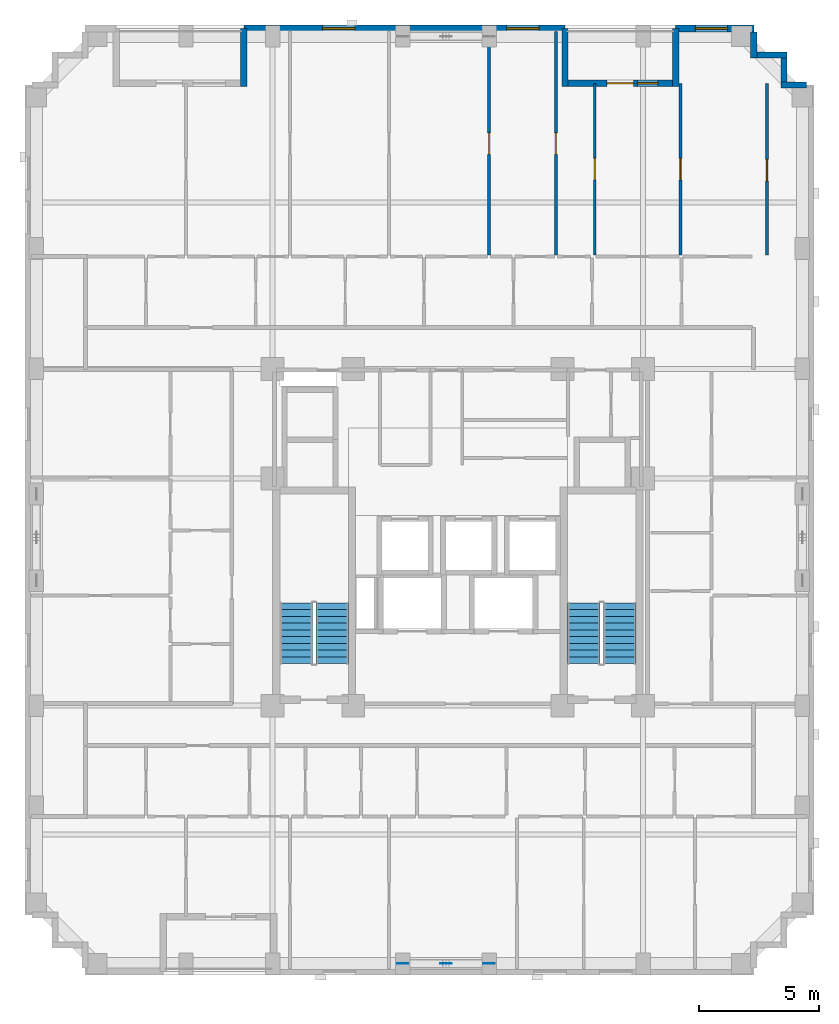
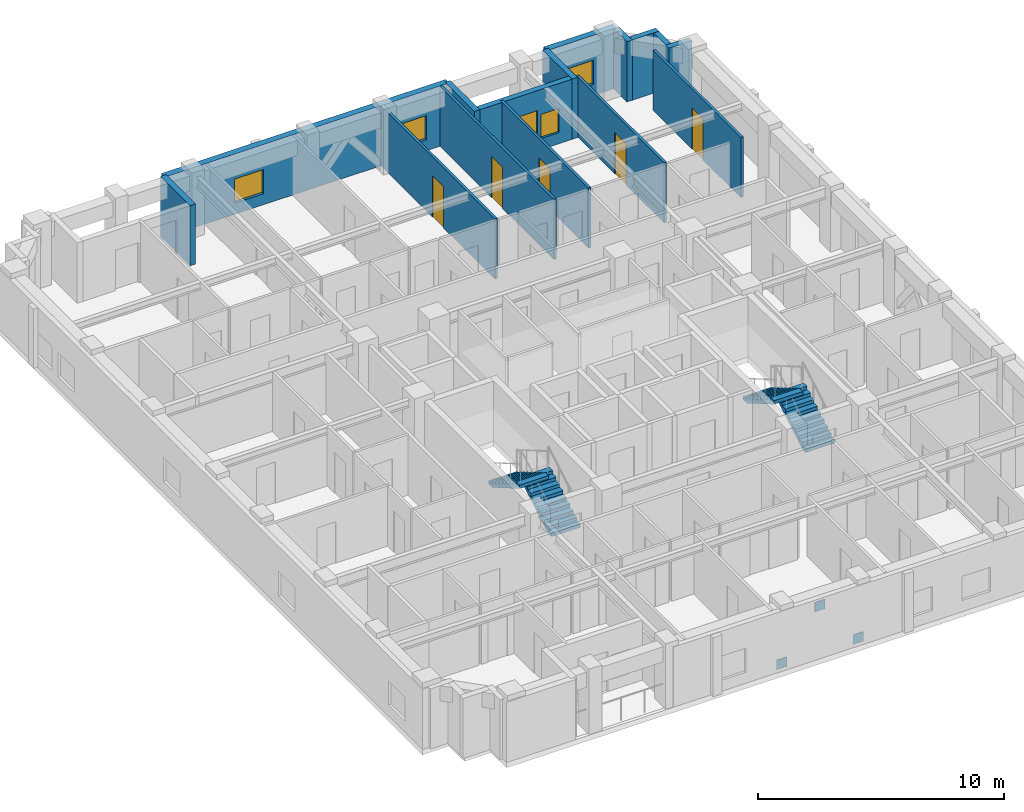
# One storey, part 8 of 11: 15 walls, 6 doors, 4 stair flights, 4 windows, 3 discrete accessories, 10 openings, 2 elements without a shape of their own.
"""IFC4 building model written with IfcOpenShell, lengths in metres."""

from ifc_helpers import new_model, si_unit, derived_unit, direction, frame, frame_2d, origin, origin_2d, place, context, subcontext, project, spatial, polyline, rectangle, outline, extrude, material, layer, layer_set, type_object, element, fill, aggregate, save


model = new_model("IFC4")

# Units and contexts
model_context = context("Model", 3, precision=1e-05, world=origin(), true_north=direction((0.0, 1.0)))
body_context = subcontext(model_context, "Body", "Model", "MODEL_VIEW")
ifc_project = project(units=[si_unit("LENGTHUNIT", "METRE"), si_unit("AREAUNIT", "SQUARE_METRE"), si_unit("VOLUMEUNIT", "CUBIC_METRE"), si_unit("PLANEANGLEUNIT", "RADIAN"), si_unit("MASSUNIT", "GRAM", prefix="KILO"), derived_unit("THERMALTRANSMITTANCEUNIT", [(si_unit("MASSUNIT", "GRAM", prefix="KILO"), 1), (si_unit("TIMEUNIT", "SECOND"), -3), (si_unit("THERMODYNAMICTEMPERATUREUNIT", "KELVIN"), -1)])], contexts=[model_context])

# Site, building, storey
site_placement = place(None, origin())
site = spatial("IfcSite", under=ifc_project, at=site_placement, CompositionType="ELEMENT")
building_placement = place(site_placement, origin())
building = spatial("IfcBuilding", under=site, at=building_placement, Name="Korrvale Station Residences", CompositionType="ELEMENT")
storey_placement = place(building_placement, frame((0.0, 0.0, 153.64990234375)))
storey = spatial("IfcBuildingStorey", under=building, at=storey_placement, Name="L44", CompositionType="ELEMENT", Elevation=153.64990234375)

# Walls
ifc_material_1 = material(Name="Precast concrete C45/55", Category="concrete")
ifc_layer_1 = layer(ifc_material_1, 0.260009765625, Name="Precast concrete C45/55")
ifc_layer_set_1 = layer_set([ifc_layer_1], Name="Precast concrete C45/55")
wall_type_1 = type_object("IfcWallType", Name="WAL-EXT-LOG260", PredefinedType="SOLIDWALL", material=ifc_layer_set_1)
for number, where, z_axis, x_axis, name in (
    (1, (16.60009765625, 40.739990234375, 0.0), (0.0, 0.0, 1.0), (0.0, 1.0, 0.0), "L44 Recessed Loggia Wall BAL-L44-N2-R"),
    (2, (29.949951171875, 43.139892578125, 0.0), (0.0, 0.0, 1.0), (0.0, -1.0, 0.0), "L44 Recessed Loggia Wall BAL-L44-N1-L"),
):
    element("IfcWall", number, at=place(storey_placement, frame(where, z_axis=z_axis, x_axis=x_axis)), inside=storey, type_object=wall_type_1, Name=name, PredefinedType="SOLIDWALL", context=body_context, shape_type="SweptSolid", body=[
        extrude(rectangle(XDim=2.39990234375, YDim=0.260009765625, at=frame_2d((1.199951171875, 0.0))), origin(), (0.0, 0.0, 1.0), 2.989990234375),
    ])

# Wall, openings, door, window
wall_1_placement = place(storey_placement, frame((30.083984375, 40.8701171875, 0.0), z_axis=(0.0, 0.0, 1.0), x_axis=(1.0, 0.0, 0.0)))
wall_1 = element("IfcWall", 3, at=wall_1_placement, inside=storey, type_object=wall_type_1, Name="L44 Recessed Loggia Wall BAL-L44-N1-B", PredefinedType="SOLIDWALL", context=body_context, shape_type="SweptSolid", body=[
    extrude(rectangle(XDim=4.33203125, YDim=0.260009765625, at=frame_2d((2.166015625, 0.0))), origin(), (0.0, 0.0, 1.0), 2.989990234375),
])
opening_1_placement = place(wall_1_placement, frame((1.615966796875, 0.0, 0.0)))
opening_1 = element("IfcOpeningElement", 4, at=opening_1_placement, cuts=wall_1, Name="Opening BD-01", PredefinedType="OPENING", context=body_context, shape_type="SweptSolid", body=[
    extrude(rectangle(XDim=1.10009765625, YDim=2.0, at=frame_2d((0.550048828125, 1.0))), frame((0.0, 0.14013671875, 0.0), z_axis=(0.0, -1.0, 0.0), x_axis=(1.0, 0.0, 0.0)), (0.0, 0.0, 1.0), 0.280029296875),
])
opening_2_placement = place(wall_1_placement, frame((2.8759765625, 0.0, 0.550048828125)))
opening_2 = element("IfcOpeningElement", 5, at=opening_2_placement, cuts=wall_1, Name="Opening W-11", PredefinedType="OPENING", context=body_context, shape_type="SweptSolid", body=[
    extrude(rectangle(XDim=0.85009765625, YDim=1.199951171875, at=frame_2d((0.425048828125, 0.60009765625))), frame((0.0, 0.14013671875, 0.0), z_axis=(0.0, -1.0, 0.0), x_axis=(1.0, 0.0, 0.0)), (0.0, 0.0, 1.0), 0.280029296875),
])
ifc_material_2 = material(Name="Exterior thermally broken aluminium glazed balcony door", Category="aluminium")
door_type_1 = type_object("IfcDoorType", Name="DR-EXT-BAL", OperationType="NOTDEFINED", PredefinedType="DOOR", material=ifc_material_2)
door_1_placement = place(opening_1_placement, origin())
door_1 = element("IfcDoor", 6, at=door_1_placement, inside=storey, type_object=door_type_1, Name="L44 Loggia Balcony Door BAL-L44-N1", OperationType="SINGLE_SWING_RIGHT", OverallHeight=2.0, OverallWidth=1.10009765625, PredefinedType="DOOR", context=body_context, shape_type="SweptSolid", body=[
    extrude(rectangle(XDim=1.10009765625, YDim=2.0, at=frame_2d((0.550048828125, 1.0))), frame((0.0, 0.02490234375, 0.0), z_axis=(0.0, -1.0, 0.0), x_axis=(1.0, 0.0, 0.0)), (0.0, 0.0, 1.0), 0.050048828125),
])
fill(opening_1, door_1)
ifc_material_3 = material(Name="Thermally broken aluminium frame with triple low-e glazing", Category="aluminium")
window_type_1 = type_object("IfcWindowType", Name="WIN-W11", PartitioningType="SINGLE_PANEL", PredefinedType="WINDOW", material=ifc_material_3)
window_1_placement = place(opening_2_placement, origin())
window_1 = element("IfcWindow", 7, at=window_1_placement, inside=storey, type_object=window_type_1, Name="L44 Punched Window 12", OverallHeight=1.199951171875, OverallWidth=0.85009765625, PartitioningType="SINGLE_PANEL", PredefinedType="WINDOW", context=body_context, shape_type="SweptSolid", body=[
    extrude(rectangle(XDim=0.85009765625, YDim=1.199951171875, at=frame_2d((0.425048828125, 0.60009765625))), frame((0.0, 0.030029296875, 0.0), z_axis=(0.0, -1.0, 0.0), x_axis=(1.0, 0.0, 0.0)), (0.0, 0.0, 1.0), 0.06005859375),
])
fill(opening_2, window_1)

# Walls
wall_2_placement = place(storey_placement, frame((34.550048828125, 40.739990234375, 0.0), z_axis=(0.0, 0.0, 1.0), x_axis=(0.0, 1.0, 0.0)))
element("IfcWall", 8, at=wall_2_placement, inside=storey, type_object=wall_type_1, Name="L44 Recessed Loggia Wall BAL-L44-N1-R", PredefinedType="SOLIDWALL", context=body_context, shape_type="SweptSolid", body=[
    extrude(rectangle(XDim=2.39990234375, YDim=0.260009765625, at=frame_2d((1.199951171875, 0.0))), origin(), (0.0, 0.0, 1.0), 2.989990234375),
])
wall_3_placement = place(storey_placement, frame((37.800048828125, 42.998046875, 0.0), z_axis=(0.0, 0.0, 1.0), x_axis=(0.0, -1.0, 0.0)))
element("IfcWall", 9, at=wall_3_placement, inside=storey, type_object=wall_type_1, Name="L44 Serrated Corner Precast Step NE-1", PredefinedType="SOLIDWALL", context=body_context, shape_type="SweptSolid", body=[
    extrude(rectangle(XDim=1.078125, YDim=0.260009765625, at=frame_2d((0.5390625, 0.0))), origin(), (0.0, 0.0, 1.0), 2.989990234375),
])
wall_4_placement = place(storey_placement, frame((37.931884765625, 42.050048828125, 0.0), z_axis=(0.0, 0.0, 1.0), x_axis=(1.0, 0.0, 0.0)))
element("IfcWall", 10, at=wall_4_placement, inside=storey, type_object=wall_type_1, Name="L44 Serrated Corner Precast Step NE-2", PredefinedType="SOLIDWALL", context=body_context, shape_type="SweptSolid", body=[
    extrude(rectangle(XDim=1.248046875, YDim=0.260009765625, at=frame_2d((0.6240234375, 0.0))), origin(), (0.0, 0.0, 1.0), 2.989990234375),
])
wall_5_placement = place(storey_placement, frame((39.050048828125, 41.91796875, 0.0), z_axis=(0.0, 0.0, 1.0), x_axis=(0.0, -1.0, 0.0)))
element("IfcWall", 11, at=wall_5_placement, inside=storey, type_object=wall_type_1, Name="L44 Serrated Corner Precast Step NE-3", PredefinedType="SOLIDWALL", context=body_context, shape_type="SweptSolid", body=[
    extrude(rectangle(XDim=0.986083984375, YDim=0.260009765625, at=frame_2d((0.4931640625, 0.0))), origin(), (0.0, 0.0, 1.0), 2.989990234375),
])
wall_6_placement = place(storey_placement, frame((38.919921875, 40.800048828125, 0.0), z_axis=(0.0, 0.0, 1.0), x_axis=(1.0, 0.0, 0.0)))
element("IfcWall", 12, at=wall_6_placement, inside=storey, type_object=wall_type_1, Name="L44 Serrated Corner Precast Step NE-4", PredefinedType="SOLIDWALL", context=body_context, shape_type="SweptSolid", body=[
    extrude(rectangle(XDim=1.078125, YDim=0.260009765625, at=frame_2d((0.5390625, 0.0))), origin(), (0.0, 0.0, 1.0), 2.989990234375),
])

# Wall, openings, windows
ifc_layer_2 = layer(ifc_material_1, 0.300048828125, Name="Precast concrete C45/55")
ifc_layer_set_2 = layer_set([ifc_layer_2], Name="Precast concrete C45/55")
wall_type_2 = type_object("IfcWallType", Name="WAL-EXT-PC300", PredefinedType="SOLIDWALL", material=ifc_layer_set_2)
wall_7_placement = place(storey_placement, frame((16.60009765625, 43.14990234375, 0.0), z_axis=(0.0, 0.0, 1.0), x_axis=(1.0, 0.0, 0.0)))
wall_7 = element("IfcWall", 13, at=wall_7_placement, inside=storey, type_object=wall_type_2, Name="L44 North Exterior Precast Wall 2", PredefinedType="SOLIDWALL", context=body_context, shape_type="SweptSolid", body=[
    extrude(rectangle(XDim=13.349853515625, YDim=0.300048828125, at=frame_2d((6.6748046875, 0.0))), origin(), (0.0, 0.0, 1.0), 2.989990234375),
])
opening_3_placement = place(wall_7_placement, frame((3.26904296875, 0.0, 0.550048828125)))
opening_3 = element("IfcOpeningElement", 14, at=opening_3_placement, cuts=wall_7, Name="Opening W-10", PredefinedType="OPENING", context=body_context, shape_type="SweptSolid", body=[
    extrude(rectangle(XDim=1.35009765625, YDim=1.199951171875, at=frame_2d((0.675048828125, 0.60009765625))), frame((0.0, 0.16015625, 0.0), z_axis=(0.0, -1.0, 0.0), x_axis=(1.0, 0.0, 0.0)), (0.0, 0.0, 1.0), 0.320068359375),
])
opening_4_placement = place(wall_7_placement, frame((10.929931640625, 0.0, 0.550048828125)))
opening_4 = element("IfcOpeningElement", 15, at=opening_4_placement, cuts=wall_7, Name="Opening W-10", PredefinedType="OPENING", context=body_context, shape_type="SweptSolid", body=[
    extrude(rectangle(XDim=1.35009765625, YDim=1.199951171875, at=frame_2d((0.675048828125, 0.60009765625))), frame((0.0, 0.16015625, 0.0), z_axis=(0.0, -1.0, 0.0), x_axis=(1.0, 0.0, 0.0)), (0.0, 0.0, 1.0), 0.320068359375),
])
window_type_2 = type_object("IfcWindowType", Name="WIN-W10", PartitioningType="SINGLE_PANEL", PredefinedType="WINDOW", material=ifc_material_3)
window_2_placement = place(opening_3_placement, origin())
window_2 = element("IfcWindow", 16, at=window_2_placement, inside=storey, type_object=window_type_2, Name="L44 Punched Window 10", OverallHeight=1.199951171875, OverallWidth=1.35009765625, PartitioningType="SINGLE_PANEL", PredefinedType="WINDOW", context=body_context, shape_type="SweptSolid", body=[
    extrude(rectangle(XDim=1.35009765625, YDim=1.199951171875, at=frame_2d((0.675048828125, 0.60009765625))), frame((0.0, 0.030029296875, 0.0), z_axis=(0.0, -1.0, 0.0), x_axis=(1.0, 0.0, 0.0)), (0.0, 0.0, 1.0), 0.06005859375),
])
fill(opening_3, window_2)
window_3_placement = place(opening_4_placement, origin())
window_3 = element("IfcWindow", 17, at=window_3_placement, inside=storey, type_object=window_type_2, Name="L44 Punched Window 11", OverallHeight=1.199951171875, OverallWidth=1.35009765625, PartitioningType="SINGLE_PANEL", PredefinedType="WINDOW", context=body_context, shape_type="SweptSolid", body=[
    extrude(rectangle(XDim=1.35009765625, YDim=1.199951171875, at=frame_2d((0.675048828125, 0.60009765625))), frame((0.0, 0.030029296875, 0.0), z_axis=(0.0, -1.0, 0.0), x_axis=(1.0, 0.0, 0.0)), (0.0, 0.0, 1.0), 0.06005859375),
])
fill(opening_4, window_3)

# Wall, opening, window
wall_8_placement = place(storey_placement, frame((34.550048828125, 43.14990234375, 0.0), z_axis=(0.0, 0.0, 1.0), x_axis=(1.0, 0.0, 0.0)))
wall_8 = element("IfcWall", 18, at=wall_8_placement, inside=storey, type_object=wall_type_2, Name="L44 North Exterior Precast Wall 3", PredefinedType="SOLIDWALL", context=body_context, shape_type="SweptSolid", body=[
    extrude(rectangle(XDim=3.25, YDim=0.300048828125, at=frame_2d((1.625, 0.0))), origin(), (0.0, 0.0, 1.0), 2.989990234375),
])
opening_5_placement = place(wall_8_placement, frame((0.81494140625, 0.0, 0.550048828125)))
opening_5 = element("IfcOpeningElement", 19, at=opening_5_placement, cuts=wall_8, Name="Opening W-10", PredefinedType="OPENING", context=body_context, shape_type="SweptSolid", body=[
    extrude(rectangle(XDim=1.35009765625, YDim=1.199951171875, at=frame_2d((0.675048828125, 0.60009765625))), frame((0.0, 0.16015625, 0.0), z_axis=(0.0, -1.0, 0.0), x_axis=(1.0, 0.0, 0.0)), (0.0, 0.0, 1.0), 0.320068359375),
])
window_4_placement = place(opening_5_placement, origin())
window_4 = element("IfcWindow", 20, at=window_4_placement, inside=storey, type_object=window_type_2, Name="L44 Punched Window 13", OverallHeight=1.199951171875, OverallWidth=1.35009765625, PartitioningType="SINGLE_PANEL", PredefinedType="WINDOW", context=body_context, shape_type="SweptSolid", body=[
    extrude(rectangle(XDim=1.35009765625, YDim=1.199951171875, at=frame_2d((0.675048828125, 0.60009765625))), frame((0.0, 0.030029296875, 0.0), z_axis=(0.0, -1.0, 0.0), x_axis=(1.0, 0.0, 0.0)), (0.0, 0.0, 1.0), 0.06005859375),
])
fill(opening_5, window_4)

# Wall, opening, door
ifc_material_4 = material(Name="Acoustic steel-stud gypsum board partition", Category="steel")
ifc_layer_3 = layer(ifc_material_4, 0.1201171875, Name="Acoustic steel-stud gypsum board partition")
ifc_layer_set_3 = layer_set([ifc_layer_3], Name="Acoustic steel-stud gypsum board partition")
wall_type_3 = type_object("IfcWallType", Name="WAL-PART-125", PredefinedType="PARTITIONING", material=ifc_layer_set_3)
wall_9_placement = place(storey_placement, frame((26.800048828125, 33.72998046875, 0.0), z_axis=(0.0, 0.0, 1.0), x_axis=(0.0, 1.0, 0.0)))
wall_9 = element("IfcWall", 21, at=wall_9_placement, inside=storey, type_object=wall_type_3, Name="L44 Suite Partition U02-V1112", PredefinedType="PARTITIONING", context=body_context, shape_type="SweptSolid", body=[
    extrude(rectangle(XDim=9.2900390625, YDim=0.1201171875, at=frame_2d((4.64501953125, 0.0))), origin(), (0.0, 0.0, 1.0), 2.989990234375),
])
opening_6_placement = place(wall_9_placement, frame((4.179931640625, 0.0, 0.0)))
opening_6 = element("IfcOpeningElement", 22, at=opening_6_placement, cuts=wall_9, Name="Opening DI-900", PredefinedType="OPENING", context=body_context, shape_type="SweptSolid", body=[
    extrude(rectangle(XDim=0.89990234375, YDim=2.050048828125, at=frame_2d((0.449951171875, 1.02490234375))), frame((0.0, 0.070068359375, 0.0), z_axis=(0.0, -1.0, 0.0), x_axis=(1.0, 0.0, 0.0)), (0.0, 0.0, 1.0), 0.14013671875),
])
ifc_material_5 = material(Name="Painted solid-core timber interior room door", Category="wood")
door_type_2 = type_object("IfcDoorType", Name="DR-INT-900", OperationType="NOTDEFINED", PredefinedType="DOOR", material=ifc_material_5)
door_2_placement = place(opening_6_placement, origin())
door_2 = element("IfcDoor", 23, at=door_2_placement, inside=storey, type_object=door_type_2, Name="L44 Apartment 3BR L44-U02 Wardrobe Storage Room Door", OperationType="SINGLE_SWING_RIGHT", OverallHeight=2.050048828125, OverallWidth=0.89990234375, PredefinedType="DOOR", context=body_context, shape_type="SweptSolid", body=[
    extrude(rectangle(XDim=0.89990234375, YDim=2.050048828125, at=frame_2d((0.449951171875, 1.02490234375))), frame((0.0, 0.02490234375, 0.0), z_axis=(0.0, -1.0, 0.0), x_axis=(1.0, 0.0, 0.0)), (0.0, 0.0, 1.0), 0.050048828125),
])
fill(opening_6, door_2)

wall_10_placement = place(storey_placement, frame((29.570068359375, 33.72998046875, 0.0), z_axis=(0.0, 0.0, 1.0), x_axis=(0.0, 1.0, 0.0)))
wall_10 = element("IfcWall", 24, at=wall_10_placement, inside=storey, type_object=wall_type_3, Name="L44 Suite Partition U02-V1213", PredefinedType="PARTITIONING", context=body_context, shape_type="SweptSolid", body=[
    extrude(rectangle(XDim=9.2900390625, YDim=0.1201171875, at=frame_2d((4.64501953125, 0.0))), origin(), (0.0, 0.0, 1.0), 2.989990234375),
])
opening_7_placement = place(wall_10_placement, frame((4.179931640625, 0.0, 0.0)))
opening_7 = element("IfcOpeningElement", 25, at=opening_7_placement, cuts=wall_10, Name="Opening DI-900", PredefinedType="OPENING", context=body_context, shape_type="SweptSolid", body=[
    extrude(rectangle(XDim=0.89990234375, YDim=2.050048828125, at=frame_2d((0.449951171875, 1.02490234375))), frame((0.0, 0.070068359375, 0.0), z_axis=(0.0, -1.0, 0.0), x_axis=(1.0, 0.0, 0.0)), (0.0, 0.0, 1.0), 0.14013671875),
])
door_3_placement = place(opening_7_placement, origin())
door_3 = element("IfcDoor", 26, at=door_3_placement, inside=storey, type_object=door_type_2, Name="L44 Apartment 3BR L44-U02 Bedroom 1 Door", OperationType="SINGLE_SWING_LEFT", OverallHeight=2.050048828125, OverallWidth=0.89990234375, PredefinedType="DOOR", context=body_context, shape_type="SweptSolid", body=[
    extrude(rectangle(XDim=0.89990234375, YDim=2.050048828125, at=frame_2d((0.449951171875, 1.02490234375))), frame((0.0, 0.02490234375, 0.0), z_axis=(0.0, -1.0, 0.0), x_axis=(1.0, 0.0, 0.0)), (0.0, 0.0, 1.0), 0.050048828125),
])
fill(opening_7, door_3)

wall_11_placement = place(storey_placement, frame((31.18994140625, 33.72998046875, 0.0), z_axis=(0.0, 0.0, 1.0), x_axis=(0.0, 1.0, 0.0)))
wall_11 = element("IfcWall", 27, at=wall_11_placement, inside=storey, type_object=wall_type_3, Name="L44 Suite Partition U02-V1314", PredefinedType="PARTITIONING", context=body_context, shape_type="SweptSolid", body=[
    extrude(rectangle(XDim=7.14013671875, YDim=0.1201171875, at=frame_2d((3.570068359375, 0.0))), origin(), (0.0, 0.0, 1.0), 2.989990234375),
])
opening_8_placement = place(wall_11_placement, frame((3.1201171875, 0.0, 0.0)))
opening_8 = element("IfcOpeningElement", 28, at=opening_8_placement, cuts=wall_11, Name="Opening DI-900", PredefinedType="OPENING", context=body_context, shape_type="SweptSolid", body=[
    extrude(rectangle(XDim=0.89990234375, YDim=2.050048828125, at=frame_2d((0.449951171875, 1.02490234375))), frame((0.0, 0.070068359375, 0.0), z_axis=(0.0, -1.0, 0.0), x_axis=(1.0, 0.0, 0.0)), (0.0, 0.0, 1.0), 0.14013671875),
])
door_4_placement = place(opening_8_placement, origin())
door_4 = element("IfcDoor", 29, at=door_4_placement, inside=storey, type_object=door_type_2, Name="L44 Apartment 3BR L44-U02 Dressing Closet 1 Door", OperationType="SINGLE_SWING_RIGHT", OverallHeight=2.050048828125, OverallWidth=0.89990234375, PredefinedType="DOOR", context=body_context, shape_type="SweptSolid", body=[
    extrude(rectangle(XDim=0.89990234375, YDim=2.050048828125, at=frame_2d((0.449951171875, 1.02490234375))), frame((0.0, 0.02490234375, 0.0), z_axis=(0.0, -1.0, 0.0), x_axis=(1.0, 0.0, 0.0)), (0.0, 0.0, 1.0), 0.050048828125),
])
fill(opening_8, door_4)

wall_12_placement = place(storey_placement, frame((34.75, 33.72998046875, 0.0), z_axis=(0.0, 0.0, 1.0), x_axis=(0.0, 1.0, 0.0)))
wall_12 = element("IfcWall", 30, at=wall_12_placement, inside=storey, type_object=wall_type_3, Name="L44 Suite Partition U02-V1415", PredefinedType="PARTITIONING", context=body_context, shape_type="SweptSolid", body=[
    extrude(rectangle(XDim=7.14013671875, YDim=0.1201171875, at=frame_2d((3.570068359375, 0.0))), origin(), (0.0, 0.0, 1.0), 2.989990234375),
])
opening_9_placement = place(wall_12_placement, frame((3.1201171875, 0.0, 0.0)))
opening_9 = element("IfcOpeningElement", 31, at=opening_9_placement, cuts=wall_12, Name="Opening DI-900", PredefinedType="OPENING", context=body_context, shape_type="SweptSolid", body=[
    extrude(rectangle(XDim=0.89990234375, YDim=2.050048828125, at=frame_2d((0.449951171875, 1.02490234375))), frame((0.0, 0.070068359375, 0.0), z_axis=(0.0, -1.0, 0.0), x_axis=(1.0, 0.0, 0.0)), (0.0, 0.0, 1.0), 0.14013671875),
])
door_5_placement = place(opening_9_placement, origin())
door_5 = element("IfcDoor", 32, at=door_5_placement, inside=storey, type_object=door_type_2, Name="L44 Apartment 3BR L44-U02 Bedroom 2 Door", OperationType="SINGLE_SWING_LEFT", OverallHeight=2.050048828125, OverallWidth=0.89990234375, PredefinedType="DOOR", context=body_context, shape_type="SweptSolid", body=[
    extrude(rectangle(XDim=0.89990234375, YDim=2.050048828125, at=frame_2d((0.449951171875, 1.02490234375))), frame((0.0, 0.02490234375, 0.0), z_axis=(0.0, -1.0, 0.0), x_axis=(1.0, 0.0, 0.0)), (0.0, 0.0, 1.0), 0.050048828125),
])
fill(opening_9, door_5)

wall_13_placement = place(storey_placement, frame((38.35009765625, 33.72998046875, 0.0), z_axis=(0.0, 0.0, 1.0), x_axis=(0.0, 1.0, 0.0)))
wall_13 = element("IfcWall", 33, at=wall_13_placement, inside=storey, type_object=wall_type_3, Name="L44 Suite Partition U02-V1516", PredefinedType="PARTITIONING", context=body_context, shape_type="SweptSolid", body=[
    extrude(rectangle(XDim=7.14013671875, YDim=0.1201171875, at=frame_2d((3.570068359375, 0.0))), origin(), (0.0, 0.0, 1.0), 2.989990234375),
])
opening_10_placement = place(wall_13_placement, frame((3.074951171875, 0.0, 0.0)))
opening_10 = element("IfcOpeningElement", 34, at=opening_10_placement, cuts=wall_13, Name="Opening DI-900", PredefinedType="OPENING", context=body_context, shape_type="SweptSolid", body=[
    extrude(rectangle(XDim=0.89990234375, YDim=2.050048828125, at=frame_2d((0.449951171875, 1.02490234375))), frame((0.0, 0.070068359375, 0.0), z_axis=(0.0, -1.0, 0.0), x_axis=(1.0, 0.0, 0.0)), (0.0, 0.0, 1.0), 0.14013671875),
])
door_6_placement = place(opening_10_placement, origin())
door_6 = element("IfcDoor", 35, at=door_6_placement, inside=storey, type_object=door_type_2, Name="L44 Apartment 3BR L44-U02 Bedroom 3 Door", OperationType="SINGLE_SWING_RIGHT", OverallHeight=2.050048828125, OverallWidth=0.89990234375, PredefinedType="DOOR", context=body_context, shape_type="SweptSolid", body=[
    extrude(rectangle(XDim=0.89990234375, YDim=2.050048828125, at=frame_2d((0.449951171875, 1.02490234375))), frame((0.0, 0.02490234375, 0.0), z_axis=(0.0, -1.0, 0.0), x_axis=(1.0, 0.0, 0.0)), (0.0, 0.0, 1.0), 0.050048828125),
])
fill(opening_10, door_6)

# Stair, stair flights
ifc_material_6 = material(Name="Concrete C50/60", Category="concrete")
stair_type = type_object("IfcStairType", Name="STR-DL-1350-20R-1625", PredefinedType="HALF_TURN_STAIR", material=ifc_material_6)
stair_1_placement = place(storey_placement, origin())
stair_1 = element("IfcStair", 36, at=stair_1_placement, inside=storey, type_object=stair_type, Name="L44 Exit Stair 1", PredefinedType="HALF_TURN_STAIR")
stair_flight_type = type_object("IfcStairFlightType", Name="FLT-DL-1350-20R-1625", PredefinedType="STRAIGHT", material=ifc_material_6)
stair_flight_1_placement = place(storey_placement, frame((20.27490234375, 16.75, 0.0), z_axis=(0.0, 0.0, 1.0), x_axis=(0.0, 1.0, 0.0)))
stair_flight_1 = element("IfcStairFlight", 37, at=stair_flight_1_placement, type_object=stair_flight_type, Name="ST-1 flight 1", NumberOfRisers=10, NumberOfTreads=9, PredefinedType="STRAIGHT", RiserHeight=0.1625, TreadLength=0.28, context=body_context, shape_type="SweptSolid", body=[
    extrude(outline(polyline([(0.0, 0.0), (0.0, 0.16259765625), (0.280029296875, 0.16259765625), (0.280029296875, 0.324951171875), (0.56005859375, 0.324951171875), (0.56005859375, 0.487548828125), (0.840087890625, 0.487548828125), (0.840087890625, 0.64990234375), (1.1201171875, 0.64990234375), (1.1201171875, 0.8125), (1.39990234375, 0.8125), (1.39990234375, 0.97509765625), (1.679931640625, 0.97509765625), (1.679931640625, 1.137451171875), (1.9599609375, 1.137451171875), (1.9599609375, 1.300048828125), (2.239990234375, 1.300048828125), (2.239990234375, 1.46240234375), (2.52001953125, 1.46240234375), (2.52001953125, 1.625), (2.52001953125, 1.2890625), (0.298583984375, 0.0), (0.0, 0.0)])), frame((0.0, 0.675048828125, 0.0), z_axis=(0.0, -1.0, 0.0), x_axis=(1.0, 0.0, 0.0)), (0.0, 0.0, 1.0), 1.35009765625),
])
stair_flight_2_placement = place(storey_placement, frame((18.77490234375, 19.27001953125, 1.625), z_axis=(0.0, 0.0, 1.0), x_axis=(0.0, -1.0, 0.0)))
stair_flight_2 = element("IfcStairFlight", 38, at=stair_flight_2_placement, type_object=stair_flight_type, Name="ST-1 flight 2", NumberOfRisers=10, NumberOfTreads=9, PredefinedType="STRAIGHT", RiserHeight=0.1625, TreadLength=0.28, context=body_context, shape_type="SweptSolid", body=[
    extrude(outline(polyline([(0.0, 0.0), (0.0, 0.16259765625), (0.280029296875, 0.16259765625), (0.280029296875, 0.324951171875), (0.56005859375, 0.324951171875), (0.56005859375, 0.487548828125), (0.840087890625, 0.487548828125), (0.840087890625, 0.64990234375), (1.1201171875, 0.64990234375), (1.1201171875, 0.8125), (1.39990234375, 0.8125), (1.39990234375, 0.97509765625), (1.679931640625, 0.97509765625), (1.679931640625, 1.137451171875), (1.9599609375, 1.137451171875), (1.9599609375, 1.300048828125), (2.239990234375, 1.300048828125), (2.239990234375, 1.46240234375), (2.52001953125, 1.46240234375), (2.52001953125, 1.625), (2.52001953125, 1.2890625), (0.298583984375, 0.0), (0.0, 0.0)])), frame((0.0, 0.675048828125, 0.0), z_axis=(0.0, -1.0, 0.0), x_axis=(1.0, 0.0, 0.0)), (0.0, 0.0, 1.0), 1.35009765625),
])
aggregate(stair_1, [stair_flight_1, stair_flight_2])

stair_2_placement = place(storey_placement, origin())
stair_2 = element("IfcStair", 39, at=stair_2_placement, inside=storey, type_object=stair_type, Name="L44 Exit Stair 2", PredefinedType="HALF_TURN_STAIR")
stair_flight_3_placement = place(storey_placement, frame((32.22509765625, 16.75, 0.0), z_axis=(0.0, 0.0, 1.0), x_axis=(0.0, 1.0, 0.0)))
stair_flight_3 = element("IfcStairFlight", 40, at=stair_flight_3_placement, type_object=stair_flight_type, Name="ST-2 flight 1", NumberOfRisers=10, NumberOfTreads=9, PredefinedType="STRAIGHT", RiserHeight=0.1625, TreadLength=0.28, context=body_context, shape_type="SweptSolid", body=[
    extrude(outline(polyline([(0.0, 0.0), (0.0, 0.16259765625), (0.280029296875, 0.16259765625), (0.280029296875, 0.324951171875), (0.56005859375, 0.324951171875), (0.56005859375, 0.487548828125), (0.840087890625, 0.487548828125), (0.840087890625, 0.64990234375), (1.1201171875, 0.64990234375), (1.1201171875, 0.8125), (1.39990234375, 0.8125), (1.39990234375, 0.97509765625), (1.679931640625, 0.97509765625), (1.679931640625, 1.137451171875), (1.9599609375, 1.137451171875), (1.9599609375, 1.300048828125), (2.239990234375, 1.300048828125), (2.239990234375, 1.46240234375), (2.52001953125, 1.46240234375), (2.52001953125, 1.625), (2.52001953125, 1.2890625), (0.298583984375, 0.0), (0.0, 0.0)])), frame((0.0, 0.675048828125, 0.0), z_axis=(0.0, -1.0, 0.0), x_axis=(1.0, 0.0, 0.0)), (0.0, 0.0, 1.0), 1.35009765625),
])
stair_flight_4_placement = place(storey_placement, frame((30.72509765625, 19.27001953125, 1.625), z_axis=(0.0, 0.0, 1.0), x_axis=(0.0, -1.0, 0.0)))
stair_flight_4 = element("IfcStairFlight", 41, at=stair_flight_4_placement, type_object=stair_flight_type, Name="ST-2 flight 2", NumberOfRisers=10, NumberOfTreads=9, PredefinedType="STRAIGHT", RiserHeight=0.1625, TreadLength=0.28, context=body_context, shape_type="SweptSolid", body=[
    extrude(outline(polyline([(0.0, 0.0), (0.0, 0.16259765625), (0.280029296875, 0.16259765625), (0.280029296875, 0.324951171875), (0.56005859375, 0.324951171875), (0.56005859375, 0.487548828125), (0.840087890625, 0.487548828125), (0.840087890625, 0.64990234375), (1.1201171875, 0.64990234375), (1.1201171875, 0.8125), (1.39990234375, 0.8125), (1.39990234375, 0.97509765625), (1.679931640625, 0.97509765625), (1.679931640625, 1.137451171875), (1.9599609375, 1.137451171875), (1.9599609375, 1.300048828125), (2.239990234375, 1.300048828125), (2.239990234375, 1.46240234375), (2.52001953125, 1.46240234375), (2.52001953125, 1.625), (2.52001953125, 1.2890625), (0.298583984375, 0.0), (0.0, 0.0)])), frame((0.0, 0.675048828125, 0.0), z_axis=(0.0, -1.0, 0.0), x_axis=(1.0, 0.0, 0.0)), (0.0, 0.0, 1.0), 1.35009765625),
])
aggregate(stair_2, [stair_flight_3, stair_flight_4])

# Discrete accessories
ifc_material_7 = material(Name="Steel S355", Category="steel")
ifc_layer_4 = layer(ifc_material_7, 0.02490234375, Name="Steel S355")
ifc_layer_set_4 = layer_set([ifc_layer_4], Name="Steel S355")
discrete_accessory_type = type_object("IfcDiscreteAccessoryType", Name="ACC-GUSSET-25", PredefinedType="BRACKET", material=ifc_layer_set_4)
for number, where, z_axis, x_axis, name in (
    (42, (23.199951171875, 4.280029296875, -0.219970703125), (0.0, 0.0, 1.0), (1.0, 0.0, 0.0), "L44 S Brace End Gusset Connection A"),
    (43, (26.800048828125, 4.280029296875, -0.219970703125), (0.0, 0.0, 1.0), (1.0, 0.0, 0.0), "L44 S Brace End Gusset Connection B"),
    (44, (25.0, 4.280029296875, 2.02001953125), (0.0, 0.0, 1.0), (1.0, 0.0, 0.0), "L44 S Brace End Gusset Connection M"),
):
    element("IfcDiscreteAccessory", number, at=place(storey_placement, frame(where, z_axis=z_axis, x_axis=x_axis)), inside=storey, type_object=discrete_accessory_type, Name=name, PredefinedType="BRACKET", context=body_context, shape_type="SweptSolid", body=[
        extrude(rectangle(XDim=0.47998046875, YDim=0.02490234375, at=origin_2d()), origin(), (0.0, 0.0, 1.0), 0.47998046875),
    ])

save(model, "model.ifc")
